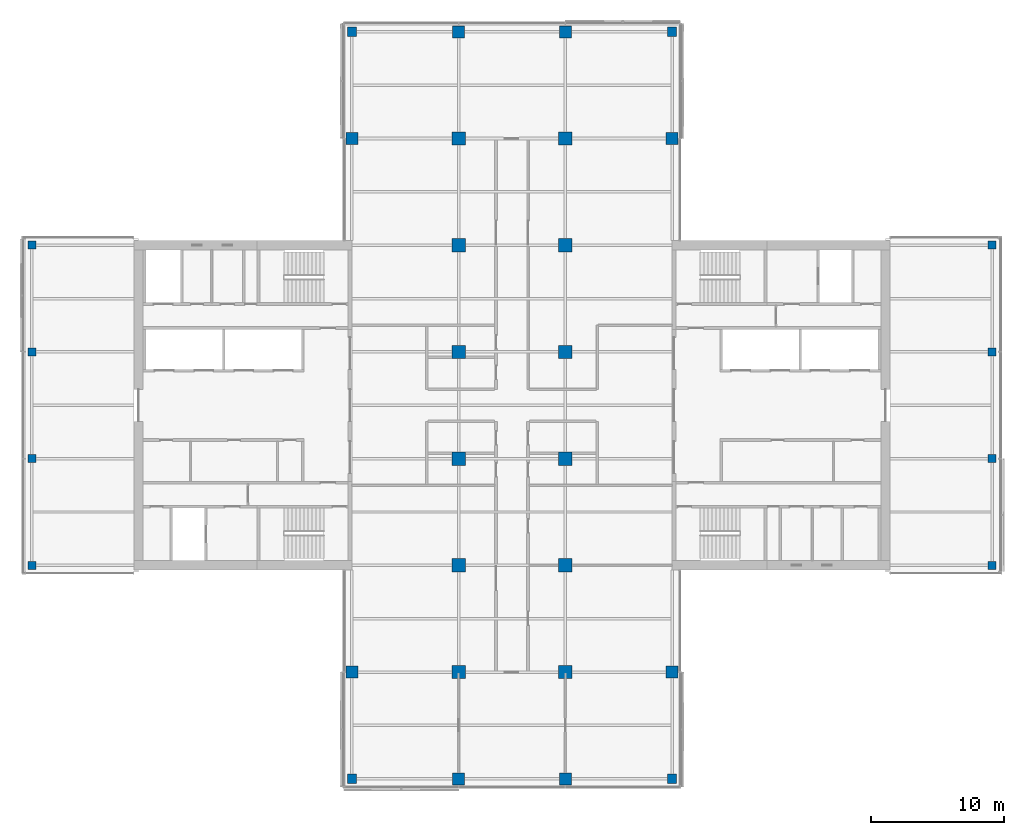
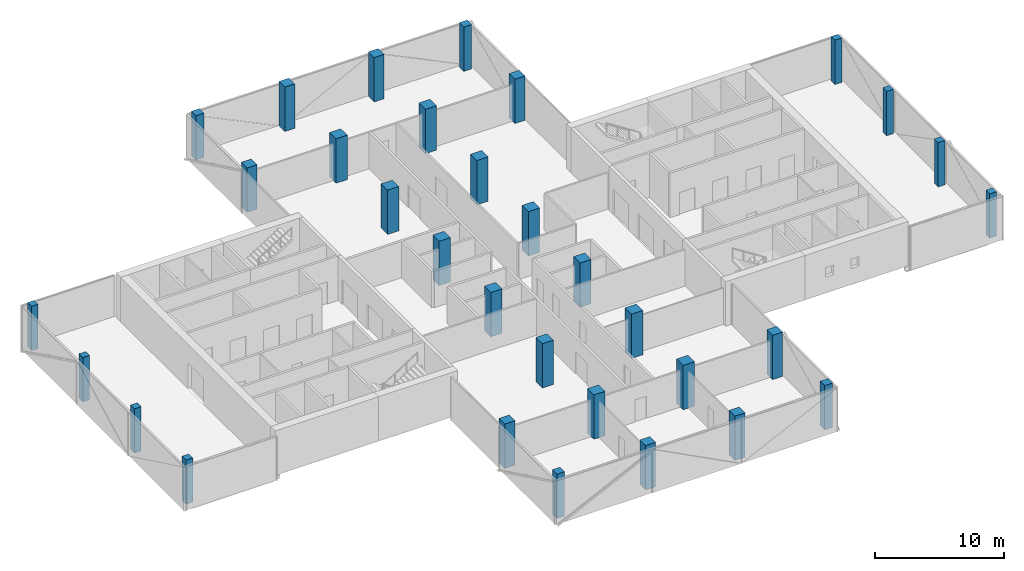
# One storey, part 1 of 22: 32 columns.
"""IFC4 building model written with IfcOpenShell, lengths in metres."""

from ifc_helpers import new_model, si_unit, direction, frame, origin, origin_2d, place, context, subcontext, project, spatial, rectangle, extrude, material, material_profile, profile_set, type_object, element, save


model = new_model("IFC4")

# Units and contexts
model_context = context("Model", 3, precision=1e-05, world=origin(), true_north=direction((0.0, 1.0)))
body_context = subcontext(model_context, "Body", "Model", "MODEL_VIEW")
ifc_project = project(units=[si_unit("LENGTHUNIT", "METRE"), si_unit("AREAUNIT", "SQUARE_METRE"), si_unit("VOLUMEUNIT", "CUBIC_METRE"), si_unit("PLANEANGLEUNIT", "RADIAN"), si_unit("MASSUNIT", "GRAM", prefix="KILO")], contexts=[model_context])

# Site, building, storey
site_placement = place(None, origin())
site = spatial("IfcSite", under=ifc_project, at=site_placement, CompositionType="ELEMENT")
building_placement = place(site_placement, origin())
building = spatial("IfcBuilding", under=site, at=building_placement, Name="Crosswind Convention Tower", CompositionType="ELEMENT")
storey_placement = place(building_placement, frame((0.0, 0.0, 116.89990234375)))
storey = spatial("IfcBuildingStorey", under=building, at=storey_placement, Name="L23", CompositionType="ELEMENT", Elevation=116.89990234375)

# Columns
ifc_material_1 = material(Name="Concrete C70/85", Category="concrete")
ifc_material_profile_1 = material_profile(ifc_material_1, rectangle(XDim=1.0, YDim=1.0, at=origin_2d()), Name="RC 1000X1000")
ifc_profile_set_1 = profile_set([ifc_material_profile_1], Name="Concrete C70/85")
column_type_1 = type_object("IfcColumnType", Name="Column RC 1000X1000", PredefinedType="COLUMN", material=ifc_profile_set_1)
for number, where, z_axis, x_axis, name in (
    (1, (121.0, 80.0, 0.0), (0.0, 0.0, 1.0), (1.0, 0.0, 0.0), "C12 L23 6/D"),
    (2, (121.0, 88.0, 0.0), (0.0, 0.0, 1.0), (1.0, 0.0, 0.0), "C12 L23 6/E"),
    (3, (121.0, 96.0, 0.0), (0.0, 0.0, 1.0), (1.0, 0.0, 0.0), "C12 L23 6/F"),
    (4, (121.0, 104.0, 0.0), (0.0, 0.0, 1.0), (1.0, 0.0, 0.0), "C12 L23 6/G"),
    (5, (121.0, 112.0, 0.0), (0.0, 0.0, 1.0), (1.0, 0.0, 0.0), "C12 L23 6/H"),
    (6, (121.0, 120.0, 0.0), (0.0, 0.0, 1.0), (1.0, 0.0, 0.0), "C12 L23 6/I"),
    (7, (129.0, 80.0, 0.0), (0.0, 0.0, 1.0), (1.0, 0.0, 0.0), "C12 L23 7/D"),
    (8, (129.0, 88.0, 0.0), (0.0, 0.0, 1.0), (1.0, 0.0, 0.0), "C12 L23 7/E"),
    (9, (129.0, 96.0, 0.0), (0.0, 0.0, 1.0), (1.0, 0.0, 0.0), "C12 L23 7/F"),
    (10, (129.0, 104.0, 0.0), (0.0, 0.0, 1.0), (1.0, 0.0, 0.0), "C12 L23 7/G"),
    (11, (129.0, 112.0, 0.0), (0.0, 0.0, 1.0), (1.0, 0.0, 0.0), "C12 L23 7/H"),
    (12, (129.0, 120.0, 0.0), (0.0, 0.0, 1.0), (1.0, 0.0, 0.0), "C12 L23 7/I"),
):
    element("IfcColumn", number, at=place(storey_placement, frame(where, z_axis=z_axis, x_axis=x_axis)), inside=storey, type_object=column_type_1, Name=name, PredefinedType="COLUMN", context=body_context, shape_type="SweptSolid", body=[
        extrude(rectangle(XDim=1.0, YDim=1.0, at=origin_2d()), origin(), (0.0, 0.0, 1.0), 4.2001953125),
    ])
ifc_material_2 = material(Name="Concrete C60/75", Category="concrete")
ifc_material_profile_2 = material_profile(ifc_material_2, rectangle(XDim=0.60009765625, YDim=0.60009765625, at=origin_2d()), Name="RC 600X600")
ifc_profile_set_2 = profile_set([ifc_material_profile_2], Name="Concrete C60/75")
column_type_2 = type_object("IfcColumnType", Name="Column RC 600X600", PredefinedType="COLUMN", material=ifc_profile_set_2)
for number, where, z_axis, x_axis, name in (
    (13, (89.0, 88.0, 0.0), (0.0, 0.0, 1.0), (1.0, 0.0, 0.0), "C16 L23 2/E"),
    (14, (89.0, 96.0, 0.0), (0.0, 0.0, 1.0), (1.0, 0.0, 0.0), "C16 L23 2/F"),
    (15, (89.0, 104.0, 0.0), (0.0, 0.0, 1.0), (1.0, 0.0, 0.0), "C16 L23 2/G"),
    (16, (89.0, 112.0, 0.0), (0.0, 0.0, 1.0), (1.0, 0.0, 0.0), "C16 L23 2/H"),
    (17, (161.0, 88.0, 0.0), (0.0, 0.0, 1.0), (1.0, 0.0, 0.0), "C16 L23 11/E"),
    (18, (161.0, 96.0, 0.0), (0.0, 0.0, 1.0), (1.0, 0.0, 0.0), "C16 L23 11/F"),
    (19, (161.0, 104.0, 0.0), (0.0, 0.0, 1.0), (1.0, 0.0, 0.0), "C16 L23 11/G"),
    (20, (161.0, 112.0, 0.0), (0.0, 0.0, 1.0), (1.0, 0.0, 0.0), "C16 L23 11/H"),
):
    element("IfcColumn", number, at=place(storey_placement, frame(where, z_axis=z_axis, x_axis=x_axis)), inside=storey, type_object=column_type_2, Name=name, PredefinedType="COLUMN", context=body_context, shape_type="SweptSolid", body=[
        extrude(rectangle(XDim=0.60009765625, YDim=0.60009765625, at=origin_2d()), origin(), (0.0, 0.0, 1.0), 4.2001953125),
    ])
ifc_material_profile_3 = material_profile(ifc_material_2, rectangle(XDim=0.699951171875, YDim=0.699951171875, at=origin_2d()), Name="RC 700X700")
ifc_profile_set_3 = profile_set([ifc_material_profile_3], Name="Concrete C60/75")
column_type_3 = type_object("IfcColumnType", Name="Column RC 700X700", PredefinedType="COLUMN", material=ifc_profile_set_3)
for number, where, z_axis, x_axis, name in (
    (21, (113.0, 72.0, 0.0), (0.0, 0.0, 1.0), (1.0, 0.0, 0.0), "C15 L23 5/C"),
    (22, (113.0, 128.0, 0.0), (0.0, 0.0, 1.0), (1.0, 0.0, 0.0), "C15 L23 5/J"),
    (23, (137.0, 72.0, 0.0), (0.0, 0.0, 1.0), (1.0, 0.0, 0.0), "C15 L23 8/C"),
    (24, (137.0, 128.0, 0.0), (0.0, 0.0, 1.0), (1.0, 0.0, 0.0), "C15 L23 8/J"),
):
    element("IfcColumn", number, at=place(storey_placement, frame(where, z_axis=z_axis, x_axis=x_axis)), inside=storey, type_object=column_type_3, Name=name, PredefinedType="COLUMN", context=body_context, shape_type="SweptSolid", body=[
        extrude(rectangle(XDim=0.699951171875, YDim=0.699951171875, at=origin_2d()), origin(), (0.0, 0.0, 1.0), 4.2001953125),
    ])
ifc_material_profile_4 = material_profile(ifc_material_2, rectangle(XDim=0.89990234375, YDim=0.89990234375, at=origin_2d()), Name="RC 900X900")
ifc_profile_set_4 = profile_set([ifc_material_profile_4], Name="Concrete C60/75")
column_type_4 = type_object("IfcColumnType", Name="Column RC 900X900", PredefinedType="COLUMN", material=ifc_profile_set_4)
for number, where, z_axis, x_axis, name in (
    (25, (113.0, 80.0, 0.0), (0.0, 0.0, 1.0), (1.0, 0.0, 0.0), "C13 L23 5/D"),
    (26, (113.0, 120.0, 0.0), (0.0, 0.0, 1.0), (1.0, 0.0, 0.0), "C13 L23 5/I"),
    (27, (121.0, 72.0, 0.0), (0.0, 0.0, 1.0), (1.0, 0.0, 0.0), "C13 L23 6/C"),
    (28, (121.0, 128.0, 0.0), (0.0, 0.0, 1.0), (1.0, 0.0, 0.0), "C13 L23 6/J"),
    (29, (129.0, 72.0, 0.0), (0.0, 0.0, 1.0), (1.0, 0.0, 0.0), "C13 L23 7/C"),
    (30, (129.0, 128.0, 0.0), (0.0, 0.0, 1.0), (1.0, 0.0, 0.0), "C13 L23 7/J"),
    (31, (137.0, 80.0, 0.0), (0.0, 0.0, 1.0), (1.0, 0.0, 0.0), "C13 L23 8/D"),
    (32, (137.0, 120.0, 0.0), (0.0, 0.0, 1.0), (1.0, 0.0, 0.0), "C13 L23 8/I"),
):
    element("IfcColumn", number, at=place(storey_placement, frame(where, z_axis=z_axis, x_axis=x_axis)), inside=storey, type_object=column_type_4, Name=name, PredefinedType="COLUMN", context=body_context, shape_type="SweptSolid", body=[
        extrude(rectangle(XDim=0.89990234375, YDim=0.89990234375, at=origin_2d()), origin(), (0.0, 0.0, 1.0), 4.2001953125),
    ])

save(model, "model.ifc")
